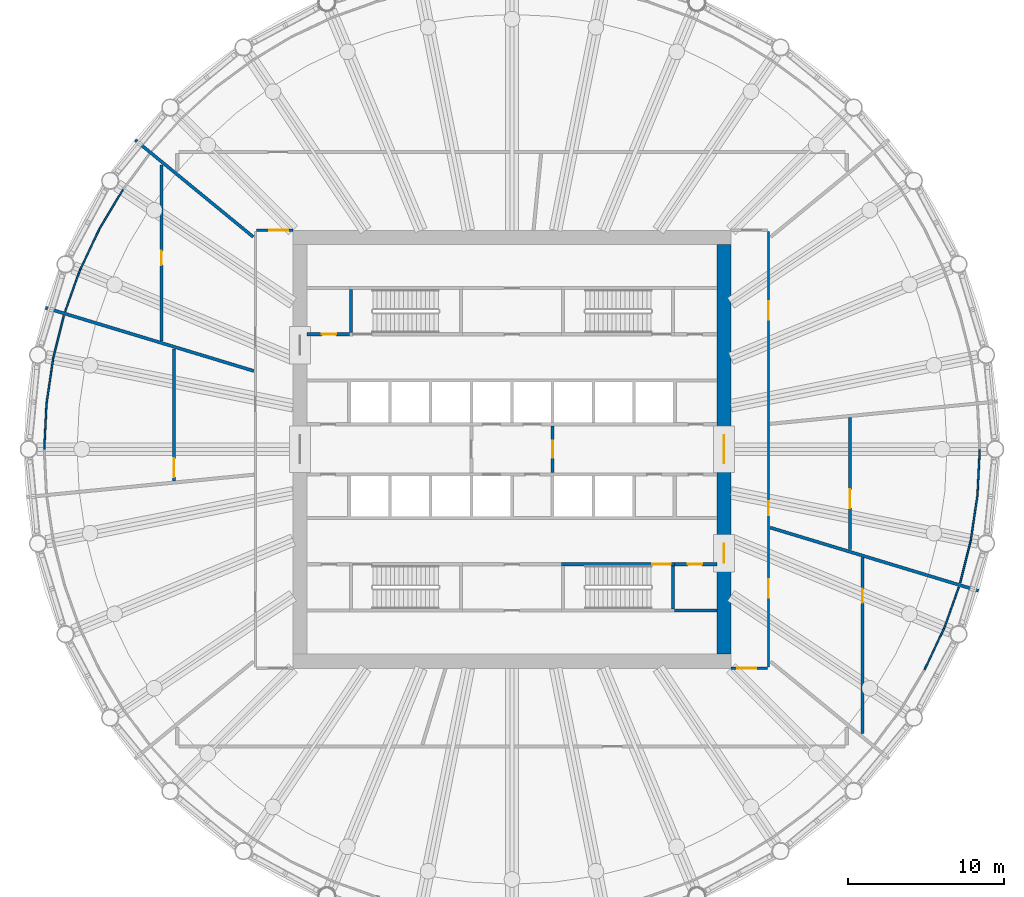
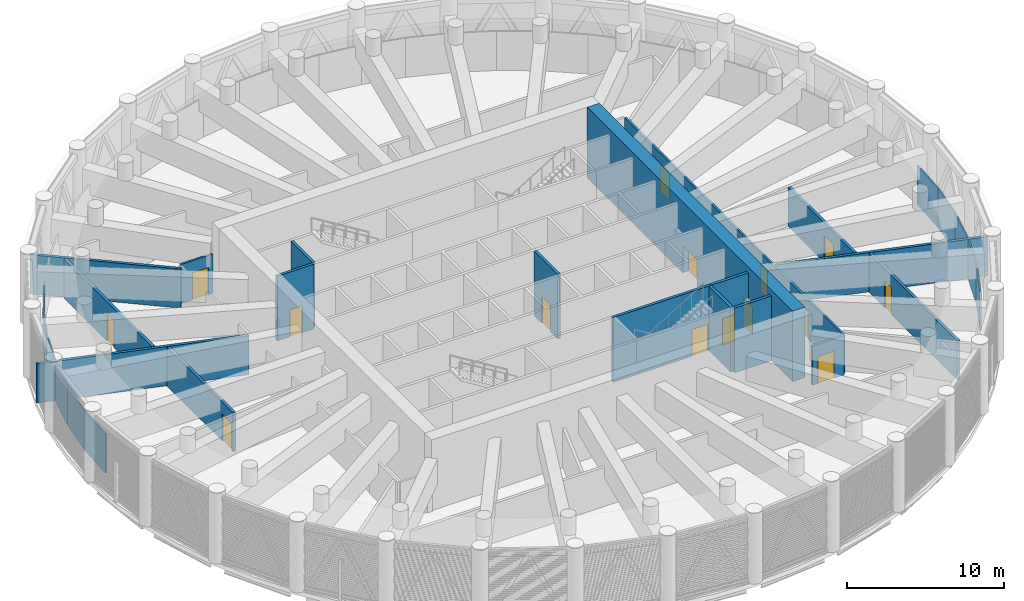
# One storey, part 9 of 23: 29 walls, 15 doors, 15 openings.
"""IFC4 building model written with IfcOpenShell, lengths in metres."""

from ifc_helpers import new_model, si_unit, direction, frame, frame_2d, origin, place, context, subcontext, project, spatial, polyline, rectangle, outline, extrude, material, layer, layer_set, type_object, element, fill, save


model = new_model("IFC4")

# Units and contexts
model_context = context("Model", 3, precision=1e-05, world=origin(), true_north=direction((0.0, 1.0)))
body_context = subcontext(model_context, "Body", "Model", "MODEL_VIEW")
ifc_project = project(units=[si_unit("LENGTHUNIT", "METRE"), si_unit("AREAUNIT", "SQUARE_METRE"), si_unit("VOLUMEUNIT", "CUBIC_METRE"), si_unit("PLANEANGLEUNIT", "RADIAN"), si_unit("MASSUNIT", "GRAM", prefix="KILO")], contexts=[model_context])

# Site, building, storey
site_placement = place(None, origin())
site = spatial("IfcSite", under=ifc_project, at=site_placement, CompositionType="ELEMENT")
building_placement = place(site_placement, origin())
building = spatial("IfcBuilding", under=site, at=building_placement, Name="Corvane Civic Tower", CompositionType="ELEMENT")
storey_placement = place(building_placement, frame((0.0, 0.0, 196.0)))
storey = spatial("IfcBuildingStorey", under=building, at=storey_placement, Name="L46", CompositionType="ELEMENT", Elevation=196.0)

# Wall, openings, doors
ifc_material_1 = material(Name="Concrete C60/75", Category="concrete")
ifc_layer_1 = layer(ifc_material_1, 0.89990234375)
ifc_layer_set_1 = layer_set([ifc_layer_1], Name="Concrete C60/75")
wall_type_1 = type_object("IfcWallType", Name="CORE WALL 900 C60/75", PredefinedType="SHEAR", material=ifc_layer_set_1)
wall_1_placement = place(storey_placement, frame((13.550048828125, -13.10009765625, 0.0), z_axis=(0.0, 0.0, 1.0), x_axis=(0.0, 1.0, 0.0)))
wall_1 = element("IfcWall", 1, at=wall_1_placement, inside=storey, type_object=wall_type_1, Name="W-L46-core-E", PredefinedType="SHEAR", context=body_context, shape_type="SweptSolid", body=[
    extrude(rectangle(XDim=26.2001953125, YDim=0.89990234375, at=frame_2d((13.10009765625, 0.0))), origin(), (0.0, 0.0, 1.0), 5.5),
])
opening_1_placement = place(wall_1_placement, frame((12.199951171875, 0.0, 0.0)))
opening_1 = element("IfcOpeningElement", 2, at=opening_1_placement, cuts=wall_1, Name="Opening L46.C22", PredefinedType="OPENING", context=body_context, shape_type="SweptSolid", body=[
    extrude(rectangle(XDim=1.800048828125, YDim=2.10009765625, at=frame_2d((0.89990234375, 1.050048828125))), frame((0.0, 0.4599609375, 0.0), z_axis=(0.0, -1.0, 0.0), x_axis=(1.0, 0.0, 0.0)), (0.0, 0.0, 1.0), 0.919921875),
])
opening_2_placement = place(wall_1_placement, frame((5.85009765625, 0.0, 0.0)))
opening_2 = element("IfcOpeningElement", 3, at=opening_2_placement, cuts=wall_1, Name="Opening L46.C24", PredefinedType="OPENING", context=body_context, shape_type="SweptSolid", body=[
    extrude(rectangle(XDim=1.199951171875, YDim=2.10009765625, at=frame_2d((0.60009765625, 1.050048828125))), frame((0.0, 0.4599609375, 0.0), z_axis=(0.0, -1.0, 0.0), x_axis=(1.0, 0.0, 0.0)), (0.0, 0.0, 1.0), 0.919921875),
])
ifc_material_2 = material(Name="Steel fire door leaf", Category="steel")
door_type_1 = type_object("IfcDoorType", Name="CR-DOOR-CORE-1800", OperationType="DOUBLE_DOOR_SINGLE_SWING", PredefinedType="DOOR", material=ifc_material_2)
door_1_placement = place(opening_1_placement, origin())
door_1 = element("IfcDoor", 4, at=door_1_placement, inside=storey, type_object=door_type_1, Name="L46 door", OperationType="DOUBLE_DOOR_SINGLE_SWING", OverallHeight=2.10009765625, OverallWidth=1.800048828125, PredefinedType="DOOR", context=body_context, shape_type="SweptSolid", body=[
    extrude(rectangle(XDim=1.800048828125, YDim=2.10009765625, at=frame_2d((0.89990234375, 1.050048828125))), frame((0.0, 0.02490234375, 0.0), z_axis=(0.0, -1.0, 0.0), x_axis=(1.0, 0.0, 0.0)), (0.0, 0.0, 1.0), 0.050048828125),
])
fill(opening_1, door_1)
door_2_placement = place(opening_2_placement, origin())
door_2 = element("IfcDoor", 5, at=door_2_placement, inside=storey, type_object=door_type_1, Name="L46 door", OperationType="DOUBLE_DOOR_SINGLE_SWING", OverallHeight=2.10009765625, OverallWidth=1.199951171875, PredefinedType="DOOR", context=body_context, shape_type="SweptSolid", body=[
    extrude(rectangle(XDim=1.199951171875, YDim=2.10009765625, at=frame_2d((0.60009765625, 1.050048828125))), frame((0.0, 0.02490234375, 0.0), z_axis=(0.0, -1.0, 0.0), x_axis=(1.0, 0.0, 0.0)), (0.0, 0.0, 1.0), 0.050048828125),
])
fill(opening_2, door_2)

# Wall, opening, door
ifc_material_3 = material(Name="Concrete C30/37", Category="concrete")
ifc_layer_2 = layer(ifc_material_3, 0.199951171875)
ifc_layer_set_2 = layer_set([ifc_layer_2], Name="Concrete C30/37")
wall_type_2 = type_object("IfcWallType", Name="CR-WALL-200", PredefinedType="PARTITIONING", material=ifc_layer_set_2)
wall_2_placement = place(storey_placement, frame((10.39990234375, -7.35009765625, 0.0), z_axis=(0.0, 0.0, 1.0), x_axis=(1.0, 0.0, 0.0)))
wall_2 = element("IfcWall", 6, at=wall_2_placement, inside=storey, type_object=wall_type_2, Name="L46 core partition wall", PredefinedType="PARTITIONING", context=body_context, shape_type="SweptSolid", body=[
    extrude(rectangle(XDim=2.7001953125, YDim=0.199951171875, at=frame_2d((1.35009765625, 0.0))), origin(), (0.0, 0.0, 1.0), 5.050048828125),
])
opening_3_placement = place(wall_2_placement, frame((0.85009765625, 0.0, 0.0)))
opening_3 = element("IfcOpeningElement", 7, at=opening_3_placement, cuts=wall_2, Name="Opening L46.C14", PredefinedType="OPENING", context=body_context, shape_type="SweptSolid", body=[
    extrude(rectangle(XDim=0.89990234375, YDim=2.10009765625, at=frame_2d((0.449951171875, 1.050048828125))), frame((0.0, 0.10986328125, 0.0), z_axis=(0.0, -1.0, 0.0), x_axis=(1.0, 0.0, 0.0)), (0.0, 0.0, 1.0), 0.219970703125),
])
ifc_material_4 = material(Name="Steel fire door leaf", Category="steel")
door_type_2 = type_object("IfcDoorType", Name="CR-DOOR-900", OperationType="SINGLE_SWING_LEFT", PredefinedType="DOOR", material=ifc_material_4)
door_3_placement = place(opening_3_placement, origin())
door_3 = element("IfcDoor", 8, at=door_3_placement, inside=storey, type_object=door_type_2, Name="L46 door", OperationType="SINGLE_SWING_LEFT", OverallHeight=2.10009765625, OverallWidth=0.89990234375, PredefinedType="DOOR", context=body_context, shape_type="SweptSolid", body=[
    extrude(rectangle(XDim=0.89990234375, YDim=2.10009765625, at=frame_2d((0.449951171875, 1.050048828125))), frame((0.0, 0.02490234375, 0.0), z_axis=(0.0, -1.0, 0.0), x_axis=(1.0, 0.0, 0.0)), (0.0, 0.0, 1.0), 0.050048828125),
])
fill(opening_3, door_3)

wall_3_placement = place(storey_placement, frame((-13.10009765625, 7.35009765625, 0.0), z_axis=(0.0, 0.0, 1.0), x_axis=(1.0, 0.0, 0.0)))
wall_3 = element("IfcWall", 9, at=wall_3_placement, inside=storey, type_object=wall_type_2, Name="L46 core partition wall", PredefinedType="PARTITIONING", context=body_context, shape_type="SweptSolid", body=[
    extrude(rectangle(XDim=2.7001953125, YDim=0.199951171875, at=frame_2d((1.35009765625, 0.0))), origin(), (0.0, 0.0, 1.0), 5.050048828125),
])
opening_4_placement = place(wall_3_placement, frame((0.949951171875, 0.0, 0.0)))
opening_4 = element("IfcOpeningElement", 10, at=opening_4_placement, cuts=wall_3, Name="Opening L46.C11", PredefinedType="OPENING", context=body_context, shape_type="SweptSolid", body=[
    extrude(rectangle(XDim=0.89990234375, YDim=2.10009765625, at=frame_2d((0.449951171875, 1.050048828125))), frame((0.0, 0.10986328125, 0.0), z_axis=(0.0, -1.0, 0.0), x_axis=(1.0, 0.0, 0.0)), (0.0, 0.0, 1.0), 0.219970703125),
])
door_4_placement = place(opening_4_placement, origin())
door_4 = element("IfcDoor", 11, at=door_4_placement, inside=storey, type_object=door_type_2, Name="L46 door", OperationType="SINGLE_SWING_LEFT", OverallHeight=2.10009765625, OverallWidth=0.89990234375, PredefinedType="DOOR", context=body_context, shape_type="SweptSolid", body=[
    extrude(rectangle(XDim=0.89990234375, YDim=2.10009765625, at=frame_2d((0.449951171875, 1.050048828125))), frame((0.0, 0.02490234375, 0.0), z_axis=(0.0, -1.0, 0.0), x_axis=(1.0, 0.0, 0.0)), (0.0, 0.0, 1.0), 0.050048828125),
])
fill(opening_4, door_4)

wall_4_placement = place(storey_placement, frame((2.60009765625, -1.5, 0.0), z_axis=(0.0, 0.0, 1.0), x_axis=(0.0, 1.0, 0.0)))
wall_4 = element("IfcWall", 12, at=wall_4_placement, inside=storey, type_object=wall_type_2, Name="L46 firefighting lobby wall", PredefinedType="PARTITIONING", context=body_context, shape_type="SweptSolid", body=[
    extrude(rectangle(XDim=3.0, YDim=0.199951171875, at=frame_2d((1.5, 0.0))), origin(), (0.0, 0.0, 1.0), 5.050048828125),
])
opening_5_placement = place(wall_4_placement, frame((0.949951171875, 0.0, 0.0)))
opening_5 = element("IfcOpeningElement", 13, at=opening_5_placement, cuts=wall_4, Name="Opening L46.C20", PredefinedType="OPENING", context=body_context, shape_type="SweptSolid", body=[
    extrude(rectangle(XDim=1.10009765625, YDim=2.10009765625, at=frame_2d((0.550048828125, 1.050048828125))), frame((0.0, 0.10986328125, 0.0), z_axis=(0.0, -1.0, 0.0), x_axis=(1.0, 0.0, 0.0)), (0.0, 0.0, 1.0), 0.219970703125),
])
ifc_material_5 = material(Name="Steel fire door leaf", Category="steel")
door_type_3 = type_object("IfcDoorType", Name="CR-DOOR-FFL-1100", OperationType="SINGLE_SWING_LEFT", PredefinedType="DOOR", material=ifc_material_5)
door_5_placement = place(opening_5_placement, origin())
door_5 = element("IfcDoor", 14, at=door_5_placement, inside=storey, type_object=door_type_3, Name="L46 lobby door", OperationType="SINGLE_SWING_LEFT", OverallHeight=2.10009765625, OverallWidth=1.10009765625, PredefinedType="DOOR", context=body_context, shape_type="SweptSolid", body=[
    extrude(rectangle(XDim=1.10009765625, YDim=2.10009765625, at=frame_2d((0.550048828125, 1.050048828125))), frame((0.0, 0.02490234375, 0.0), z_axis=(0.0, -1.0, 0.0), x_axis=(1.0, 0.0, 0.0)), (0.0, 0.0, 1.0), 0.050048828125),
])
fill(opening_5, door_5)

# Walls
wall_5_placement = place(storey_placement, origin())
element("IfcWall", 15, at=wall_5_placement, inside=storey, type_object=wall_type_2, Name="L46 core partition wall", PredefinedType="PARTITIONING", context=body_context, shape_type="SweptSolid", body=[
    extrude(outline(polyline([(13.10009765625, -10.39990234375), (10.39990234375, -10.39990234375), (10.39990234375, -10.199951171875), (13.10009765625, -10.199951171875), (13.10009765625, -10.39990234375)])), origin(), (0.0, 0.0, 1.0), 5.050048828125),
])
ifc_material_6 = material(Name="Plasterboard")
ifc_layer_3 = layer(ifc_material_6, 0.10009765625)
ifc_layer_set_3 = layer_set([ifc_layer_3], Name="Plasterboard")
wall_type_3 = type_object("IfcWallType", Name="Partition 100 plasterboard on studs", PredefinedType="PARTITIONING", material=ifc_layer_set_3)
wall_6_placement = place(storey_placement, frame((-26.368408203125, 14.09423828125, 0.0), z_axis=(0.0, 0.0, 1.0), x_axis=(0.514140854676, 0.857705766305, 0.0)))
element("IfcWall", 16, at=wall_6_placement, inside=storey, type_object=wall_type_3, Name="Partition L46.080", PredefinedType="PARTITIONING", context=body_context, shape_type="SweptSolid", body=[
    extrude(rectangle(XDim=2.93408203125, YDim=0.10009765625, at=frame_2d((1.467041015625, 0.0))), origin(), (0.0, 0.0, 1.0), 3.050048828125),
])
for number, where, z_axis, x_axis, name in (
    (17, (26.368408203125, -14.09423828125, 0.0), (0.0, 0.0, 1.0), (0.42750326142, 0.90401380602, 0.0), "Partition L46.081"),
    (18, (-27.622802734375, 11.441650390625, 0.0), (0.0, 0.0, 1.0), (0.42750326142, 0.90401380602, 0.0), "Partition L46.082"),
):
    element("IfcWall", number, at=place(storey_placement, frame(where, z_axis=z_axis, x_axis=x_axis)), inside=storey, type_object=wall_type_3, Name=name, PredefinedType="PARTITIONING", context=body_context, shape_type="SweptSolid", body=[
        extrude(rectangle(XDim=2.934326171875, YDim=0.10009765625, at=frame_2d((1.46728515625, 0.0))), origin(), (0.0, 0.0, 1.0), 3.050048828125),
    ])
for number, where, z_axis, x_axis, name in (
    (19, (27.622802734375, -11.441650390625, 0.0), (0.0, 0.0, 1.0), (0.336862225339, 0.941553950201, 0.0), "Partition L46.083"),
    (20, (-28.56396484375, 8.81103515625, 0.0), (0.0, 0.0, 1.0), (0.336862225339, 0.941553950201, 0.0), "Partition L46.084"),
    (21, (28.645263671875, -8.543212890625, 0.0), (0.0, 0.0, 1.0), (0.24300848538, 0.970024162603, 0.0), "Partition L46.085"),
    (22, (-29.32421875, 5.8330078125, 0.0), (0.0, 0.0, 1.0), (0.24300848538, 0.970024162603, 0.0), "Partition L46.086"),
):
    element("IfcWall", number, at=place(storey_placement, frame(where, z_axis=z_axis, x_axis=x_axis)), inside=storey, type_object=wall_type_3, Name=name, PredefinedType="PARTITIONING", context=body_context, shape_type="SweptSolid", body=[
        extrude(rectangle(XDim=2.7939453125, YDim=0.10009765625, at=frame_2d((1.39697265625, 0.0))), origin(), (0.0, 0.0, 1.0), 3.050048828125),
    ])
for number, where, z_axis, x_axis, name in (
    (23, (29.32421875, -5.8330078125, 0.0), (0.0, 0.0, 1.0), (0.146777840471, 0.989169482721, 0.0), "Partition L46.087"),
    (24, (-29.7548828125, 2.9306640625, 0.0), (0.0, 0.0, 1.0), (0.146777840471, 0.989169482721, 0.0), "Partition L46.088"),
    (25, (29.7548828125, -2.9306640625, 0.0), (0.0, 0.0, 1.0), (0.049008018065, 0.998798385144, 0.0), "Partition L46.089"),
    (26, (-29.898681640625, 0.0, 0.0), (0.0, 0.0, 1.0), (0.049008018065, 0.998798385144, 0.0), "Partition L46.090"),
):
    element("IfcWall", number, at=place(storey_placement, frame(where, z_axis=z_axis, x_axis=x_axis)), inside=storey, type_object=wall_type_3, Name=name, PredefinedType="PARTITIONING", context=body_context, shape_type="SweptSolid", body=[
        extrude(rectangle(XDim=2.93408203125, YDim=0.10009765625, at=frame_2d((1.467041015625, 0.0))), origin(), (0.0, 0.0, 1.0), 3.050048828125),
    ])

# Wall, opening, door
ifc_material_7 = material(Name="Gypsum fibreboard")
ifc_layer_4 = layer(ifc_material_7, 0.199951171875)
ifc_layer_set_4 = layer_set([ifc_layer_4], Name="Gypsum fibreboard")
wall_type_4 = type_object("IfcWallType", Name="Plant and refuge wall 200 EI 120", PredefinedType="PARTITIONING", material=ifc_layer_set_4)
wall_7_placement = place(storey_placement, frame((22.39990234375, -18.171875, 0.0), z_axis=(0.0, 0.0, 1.0), x_axis=(0.0, 1.0, 0.0)))
wall_7 = element("IfcWall", 27, at=wall_7_placement, inside=storey, type_object=wall_type_4, Name="Partition L46.007", PredefinedType="PARTITIONING", context=body_context, shape_type="SweptSolid", body=[
    extrude(rectangle(XDim=11.2421875, YDim=0.199951171875, at=frame_2d((5.62109375, 0.0))), origin(), (0.0, 0.0, 1.0), 3.050048828125),
])
opening_6_placement = place(wall_7_placement, frame((8.350830078125, 0.0, 0.0)))
opening_6 = element("IfcOpeningElement", 28, at=opening_6_placement, cuts=wall_7, Name="Opening L46.010", PredefinedType="OPENING", context=body_context, shape_type="SweptSolid", body=[
    extrude(rectangle(XDim=0.89990234375, YDim=2.10009765625, at=frame_2d((0.449951171875, 1.050048828125))), frame((0.0, 0.10986328125, 0.0), z_axis=(0.0, -1.0, 0.0), x_axis=(1.0, 0.0, 0.0)), (0.0, 0.0, 1.0), 0.219970703125),
])
ifc_material_8 = material(Name="Steel and timber", Category="steel")
door_type_4 = type_object("IfcDoorType", Name="Fire door FD30S 900", OperationType="NOTDEFINED", PredefinedType="DOOR", material=ifc_material_8)
door_6_placement = place(opening_6_placement, frame((0.89990234375, 0.0, 0.0), z_axis=(0.0, 0.0, 1.0), x_axis=(-1.0, 0.0, 0.0)))
door_6 = element("IfcDoor", 29, at=door_6_placement, inside=storey, type_object=door_type_4, Name="Door L46.010", OperationType="SINGLE_SWING_LEFT", OverallHeight=2.10009765625, OverallWidth=0.89990234375, PredefinedType="DOOR", context=body_context, shape_type="SweptSolid", body=[
    extrude(rectangle(XDim=0.89990234375, YDim=2.10009765625, at=frame_2d((0.449951171875, 1.050048828125))), frame((0.0, 0.02490234375, 0.0), z_axis=(0.0, -1.0, 0.0), x_axis=(1.0, 0.0, 0.0)), (0.0, 0.0, 1.0), 0.050048828125),
])
fill(opening_6, door_6)

# Wall
wall_8_placement = place(storey_placement, frame((16.50390625, -5.00634765625, 0.0), z_axis=(0.0, 0.0, 1.0), x_axis=(0.95693781983, -0.290292970942, 0.0)))
element("IfcWall", 30, at=wall_8_placement, inside=storey, type_object=wall_type_4, Name="Partition L46.012", PredefinedType="PARTITIONING", context=body_context, shape_type="SweptSolid", body=[
    extrude(rectangle(XDim=13.903564453125, YDim=0.199951171875, at=frame_2d((6.95166015625, 0.0))), origin(), (0.0, 0.0, 1.0), 3.050048828125),
])

# Wall, opening, door
wall_9_placement = place(storey_placement, frame((21.60009765625, -6.41748046875, 0.0), z_axis=(0.0, 0.0, 1.0), x_axis=(0.0, 1.0, 0.0)))
wall_9 = element("IfcWall", 31, at=wall_9_placement, inside=storey, type_object=wall_type_4, Name="Partition L46.013", PredefinedType="PARTITIONING", context=body_context, shape_type="SweptSolid", body=[
    extrude(rectangle(XDim=8.4345703125, YDim=0.199951171875, at=frame_2d((4.21728515625, 0.0))), origin(), (0.0, 0.0, 1.0), 3.050048828125),
])
opening_7_placement = place(wall_9_placement, frame((2.648681640625, 0.0, 0.0)))
opening_7 = element("IfcOpeningElement", 32, at=opening_7_placement, cuts=wall_9, Name="Opening L46.008", PredefinedType="OPENING", context=body_context, shape_type="SweptSolid", body=[
    extrude(rectangle(XDim=1.199951171875, YDim=2.10009765625, at=frame_2d((0.60009765625, 1.050048828125))), frame((0.0, 0.10986328125, 0.0), z_axis=(0.0, -1.0, 0.0), x_axis=(1.0, 0.0, 0.0)), (0.0, 0.0, 1.0), 0.219970703125),
])
ifc_material_9 = material(Name="Steel and timber", Category="steel")
door_type_5 = type_object("IfcDoorType", Name="Fire door FD60 1200", OperationType="NOTDEFINED", PredefinedType="DOOR", material=ifc_material_9)
door_7_placement = place(opening_7_placement, frame((1.199951171875, 0.0, 0.0), z_axis=(0.0, 0.0, 1.0), x_axis=(-1.0, 0.0, 0.0)))
door_7 = element("IfcDoor", 33, at=door_7_placement, inside=storey, type_object=door_type_5, Name="Door L46.008", OperationType="SINGLE_SWING_RIGHT", OverallHeight=2.10009765625, OverallWidth=1.199951171875, PredefinedType="DOOR", context=body_context, shape_type="SweptSolid", body=[
    extrude(rectangle(XDim=1.199951171875, YDim=2.10009765625, at=frame_2d((0.60009765625, 1.050048828125))), frame((0.0, 0.02490234375, 0.0), z_axis=(0.0, -1.0, 0.0), x_axis=(1.0, 0.0, 0.0)), (0.0, 0.0, 1.0), 0.050048828125),
])
fill(opening_7, door_7)

wall_10_placement = place(storey_placement, frame((-21.60009765625, -2.01708984375, 0.0), z_axis=(0.0, 0.0, 1.0), x_axis=(0.0, 1.0, 0.0)))
wall_10 = element("IfcWall", 34, at=wall_10_placement, inside=storey, type_object=wall_type_4, Name="Partition L46.015", PredefinedType="PARTITIONING", context=body_context, shape_type="SweptSolid", body=[
    extrude(rectangle(XDim=8.4345703125, YDim=0.199951171875, at=frame_2d((4.21728515625, 0.0))), origin(), (0.0, 0.0, 1.0), 3.050048828125),
])
opening_8_placement = place(wall_10_placement, frame((0.23095703125, 0.0, 0.0)))
opening_8 = element("IfcOpeningElement", 35, at=opening_8_placement, cuts=wall_10, Name="Opening L46.013", PredefinedType="OPENING", context=body_context, shape_type="SweptSolid", body=[
    extrude(rectangle(XDim=1.199951171875, YDim=2.10009765625, at=frame_2d((0.60009765625, 1.050048828125))), frame((0.0, 0.10986328125, 0.0), z_axis=(0.0, -1.0, 0.0), x_axis=(1.0, 0.0, 0.0)), (0.0, 0.0, 1.0), 0.219970703125),
])
door_8_placement = place(opening_8_placement, origin())
door_8 = element("IfcDoor", 36, at=door_8_placement, inside=storey, type_object=door_type_5, Name="Door L46.013", OperationType="SINGLE_SWING_LEFT", OverallHeight=2.10009765625, OverallWidth=1.199951171875, PredefinedType="DOOR", context=body_context, shape_type="SweptSolid", body=[
    extrude(rectangle(XDim=1.199951171875, YDim=2.10009765625, at=frame_2d((0.60009765625, 1.050048828125))), frame((0.0, 0.02490234375, 0.0), z_axis=(0.0, -1.0, 0.0), x_axis=(1.0, 0.0, 0.0)), (0.0, 0.0, 1.0), 0.050048828125),
])
fill(opening_8, door_8)

# Wall
wall_11_placement = place(storey_placement, frame((-29.808837890625, 9.04248046875, 0.0), z_axis=(0.0, 0.0, 1.0), x_axis=(0.95693781983, -0.290292970942, 0.0)))
element("IfcWall", 37, at=wall_11_placement, inside=storey, type_object=wall_type_4, Name="Partition L46.017", PredefinedType="PARTITIONING", context=body_context, shape_type="SweptSolid", body=[
    extrude(rectangle(XDim=13.903564453125, YDim=0.199951171875, at=frame_2d((6.95166015625, 0.0))), origin(), (0.0, 0.0, 1.0), 3.050048828125),
])

# Wall, opening, door
wall_12_placement = place(storey_placement, frame((-22.39990234375, 6.9296875, 0.0), z_axis=(0.0, 0.0, 1.0), x_axis=(0.0, 1.0, 0.0)))
wall_12 = element("IfcWall", 38, at=wall_12_placement, inside=storey, type_object=wall_type_4, Name="Partition L46.018", PredefinedType="PARTITIONING", context=body_context, shape_type="SweptSolid", body=[
    extrude(rectangle(XDim=11.2421875, YDim=0.199951171875, at=frame_2d((5.62109375, 0.0))), origin(), (0.0, 0.0, 1.0), 3.050048828125),
])
opening_9_placement = place(wall_12_placement, frame((4.84619140625, 0.0, 0.0)))
opening_9 = element("IfcOpeningElement", 39, at=opening_9_placement, cuts=wall_12, Name="Opening L46.015", PredefinedType="OPENING", context=body_context, shape_type="SweptSolid", body=[
    extrude(rectangle(XDim=0.89990234375, YDim=2.10009765625, at=frame_2d((0.449951171875, 1.050048828125))), frame((0.0, 0.10986328125, 0.0), z_axis=(0.0, -1.0, 0.0), x_axis=(1.0, 0.0, 0.0)), (0.0, 0.0, 1.0), 0.219970703125),
])
door_9_placement = place(opening_9_placement, origin())
door_9 = element("IfcDoor", 40, at=door_9_placement, inside=storey, type_object=door_type_4, Name="Door L46.015", OperationType="SINGLE_SWING_LEFT", OverallHeight=2.10009765625, OverallWidth=0.89990234375, PredefinedType="DOOR", context=body_context, shape_type="SweptSolid", body=[
    extrude(rectangle(XDim=0.89990234375, YDim=2.10009765625, at=frame_2d((0.449951171875, 1.050048828125))), frame((0.0, 0.02490234375, 0.0), z_axis=(0.0, -1.0, 0.0), x_axis=(1.0, 0.0, 0.0)), (0.0, 0.0, 1.0), 0.050048828125),
])
fill(opening_9, door_9)

# Wall
wall_13_placement = place(storey_placement, frame((-24.079345703125, 19.761474609375, 0.0), z_axis=(0.0, 0.0, 1.0), x_axis=(0.773012005749, -0.634391392571, 0.0)))
element("IfcWall", 41, at=wall_13_placement, inside=storey, type_object=wall_type_4, Name="Partition L46.019", PredefinedType="PARTITIONING", context=body_context, shape_type="SweptSolid", body=[
    extrude(rectangle(XDim=9.75537109375, YDim=0.199951171875, at=frame_2d((4.877685546875, 0.0))), origin(), (0.0, 0.0, 1.0), 3.050048828125),
])

# Wall, opening, door
ifc_material_10 = material(Name="Concrete C50/60", Category="concrete")
ifc_layer_5 = layer(ifc_material_10, 0.199951171875)
ifc_layer_set_5 = layer_set([ifc_layer_5], Name="Concrete C50/60")
wall_type_5 = type_object("IfcWallType", Name="ST-WALL-200", PredefinedType="SHEAR", material=ifc_layer_set_5)
wall_14_placement = place(storey_placement, frame((3.14990234375, -7.35009765625, 0.0), z_axis=(0.0, 0.0, 1.0), x_axis=(1.0, 0.0, 0.0)))
wall_14 = element("IfcWall", 42, at=wall_14_placement, inside=storey, type_object=wall_type_5, Name="L46 stair enclosure wall", PredefinedType="SHEAR", context=body_context, shape_type="SweptSolid", body=[
    extrude(rectangle(XDim=7.25, YDim=0.199951171875, at=frame_2d((3.625, 0.0))), origin(), (0.0, 0.0, 1.0), 5.050048828125),
])
opening_10_placement = place(wall_14_placement, frame((5.800048828125, 0.0, 0.0)))
opening_10 = element("IfcOpeningElement", 43, at=opening_10_placement, cuts=wall_14, Name="Opening L46.C17", PredefinedType="OPENING", context=body_context, shape_type="SweptSolid", body=[
    extrude(rectangle(XDim=1.199951171875, YDim=2.10009765625, at=frame_2d((0.60009765625, 1.050048828125))), frame((0.0, 0.10986328125, 0.0), z_axis=(0.0, -1.0, 0.0), x_axis=(1.0, 0.0, 0.0)), (0.0, 0.0, 1.0), 0.219970703125),
])
ifc_material_11 = material(Name="Steel fire door leaf", Category="steel")
door_type_6 = type_object("IfcDoorType", Name="ST-DOOR-1200", OperationType="SINGLE_SWING_RIGHT", PredefinedType="DOOR", material=ifc_material_11)
door_10_placement = place(opening_10_placement, origin())
door_10 = element("IfcDoor", 44, at=door_10_placement, inside=storey, type_object=door_type_6, Name="L46 stair door", OperationType="SINGLE_SWING_RIGHT", OverallHeight=2.10009765625, OverallWidth=1.199951171875, PredefinedType="DOOR", context=body_context, shape_type="SweptSolid", body=[
    extrude(rectangle(XDim=1.199951171875, YDim=2.10009765625, at=frame_2d((0.60009765625, 1.050048828125))), frame((0.0, 0.02490234375, 0.0), z_axis=(0.0, -1.0, 0.0), x_axis=(1.0, 0.0, 0.0)), (0.0, 0.0, 1.0), 0.050048828125),
])
fill(opening_10, door_10)

# Walls
wall_15_placement = place(storey_placement, origin())
element("IfcWall", 45, at=wall_15_placement, inside=storey, type_object=wall_type_5, Name="L46 stair enclosure wall", PredefinedType="SHEAR", context=body_context, shape_type="SweptSolid", body=[
    extrude(outline(polyline([(-10.199951171875, 7.449951171875), (-10.39990234375, 7.449951171875), (-10.39990234375, 10.199951171875), (-10.199951171875, 10.199951171875), (-10.199951171875, 7.449951171875)])), origin(), (0.0, 0.0, 1.0), 5.050048828125),
])
wall_16_placement = place(storey_placement, origin())
element("IfcWall", 46, at=wall_16_placement, inside=storey, type_object=wall_type_5, Name="L46 stair enclosure wall", PredefinedType="SHEAR", context=body_context, shape_type="SweptSolid", body=[
    extrude(outline(polyline([(10.39990234375, -7.449951171875), (10.39990234375, -10.199951171875), (10.199951171875, -10.199951171875), (10.199951171875, -7.449951171875), (10.39990234375, -7.449951171875)])), origin(), (0.0, 0.0, 1.0), 5.050048828125),
])

# Wall, opening, door
ifc_material_12 = material(Name="Plasterboard")
ifc_layer_6 = layer(ifc_material_12, 0.14990234375)
ifc_layer_set_6 = layer_set([ifc_layer_6], Name="Plasterboard")
wall_type_6 = type_object("IfcWallType", Name="Tenancy wall 150 EI 60", PredefinedType="PARTITIONING", material=ifc_layer_set_6)
wall_17_placement = place(storey_placement, frame((13.989990234375, -14.0, 0.0), z_axis=(0.0, 0.0, 1.0), x_axis=(1.0, 0.0, 0.0)))
wall_17 = element("IfcWall", 47, at=wall_17_placement, inside=storey, type_object=wall_type_6, Name="Partition L46.009", PredefinedType="PARTITIONING", context=body_context, shape_type="SweptSolid", body=[
    extrude(rectangle(XDim=2.3349609375, YDim=0.14990234375, at=frame_2d((1.16748046875, 0.0))), origin(), (0.0, 0.0, 1.0), 3.050048828125),
])
opening_11_placement = place(wall_17_placement, frame((0.414306640625, 0.0, 0.0)))
opening_11 = element("IfcOpeningElement", 48, at=opening_11_placement, cuts=wall_17, Name="Opening L46.005", PredefinedType="OPENING", context=body_context, shape_type="SweptSolid", body=[
    extrude(rectangle(XDim=1.199951171875, YDim=2.10009765625, at=frame_2d((0.60009765625, 1.050048828125))), frame((0.0, 0.0849609375, 0.0), z_axis=(0.0, -1.0, 0.0), x_axis=(1.0, 0.0, 0.0)), (0.0, 0.0, 1.0), 0.169921875),
])
door_11_placement = place(opening_11_placement, frame((1.199951171875, 0.0, 0.0), z_axis=(0.0, 0.0, 1.0), x_axis=(-1.0, 0.0, 0.0)))
door_11 = element("IfcDoor", 49, at=door_11_placement, inside=storey, type_object=door_type_5, Name="Door L46.005", OperationType="SINGLE_SWING_RIGHT", OverallHeight=2.10009765625, OverallWidth=1.199951171875, PredefinedType="DOOR", context=body_context, shape_type="SweptSolid", body=[
    extrude(rectangle(XDim=1.199951171875, YDim=2.10009765625, at=frame_2d((0.60009765625, 1.050048828125))), frame((0.0, 0.02490234375, 0.0), z_axis=(0.0, -1.0, 0.0), x_axis=(1.0, 0.0, 0.0)), (0.0, 0.0, 1.0), 0.050048828125),
])
fill(opening_11, door_11)

# Wall, openings, doors
wall_18_placement = place(storey_placement, frame((16.39990234375, -13.925048828125, 0.0), z_axis=(0.0, 0.0, 1.0), x_axis=(0.0, 1.0, 0.0)))
wall_18 = element("IfcWall", 50, at=wall_18_placement, inside=storey, type_object=wall_type_6, Name="Partition L46.011", PredefinedType="PARTITIONING", context=body_context, shape_type="SweptSolid", body=[
    extrude(rectangle(XDim=27.85009765625, YDim=0.14990234375, at=frame_2d((13.925048828125, 0.0))), origin(), (0.0, 0.0, 1.0), 3.050048828125),
])
opening_12_placement = place(wall_18_placement, frame((22.1923828125, 0.0, 0.0)))
opening_12 = element("IfcOpeningElement", 51, at=opening_12_placement, cuts=wall_18, Name="Opening L46.007", PredefinedType="OPENING", context=body_context, shape_type="SweptSolid", body=[
    extrude(rectangle(XDim=1.199951171875, YDim=2.10009765625, at=frame_2d((0.60009765625, 1.050048828125))), frame((0.0, 0.0849609375, 0.0), z_axis=(0.0, -1.0, 0.0), x_axis=(1.0, 0.0, 0.0)), (0.0, 0.0, 1.0), 0.169921875),
])
opening_13_placement = place(wall_18_placement, frame((9.69970703125, 0.0, 0.0)))
opening_13 = element("IfcOpeningElement", 52, at=opening_13_placement, cuts=wall_18, Name="Opening L46.009", PredefinedType="OPENING", context=body_context, shape_type="SweptSolid", body=[
    extrude(rectangle(XDim=0.89990234375, YDim=2.10009765625, at=frame_2d((0.449951171875, 1.050048828125))), frame((0.0, 0.0849609375, 0.0), z_axis=(0.0, -1.0, 0.0), x_axis=(1.0, 0.0, 0.0)), (0.0, 0.0, 1.0), 0.169921875),
])
opening_14_placement = place(wall_18_placement, frame((4.428466796875, 0.0, 0.0)))
opening_14 = element("IfcOpeningElement", 53, at=opening_14_placement, cuts=wall_18, Name="Opening L46.011", PredefinedType="OPENING", context=body_context, shape_type="SweptSolid", body=[
    extrude(rectangle(XDim=1.199951171875, YDim=2.10009765625, at=frame_2d((0.60009765625, 1.050048828125))), frame((0.0, 0.0849609375, 0.0), z_axis=(0.0, -1.0, 0.0), x_axis=(1.0, 0.0, 0.0)), (0.0, 0.0, 1.0), 0.169921875),
])
door_12_placement = place(opening_13_placement, frame((0.89990234375, 0.0, 0.0), z_axis=(0.0, 0.0, 1.0), x_axis=(-1.0, 0.0, 0.0)))
door_12 = element("IfcDoor", 54, at=door_12_placement, inside=storey, type_object=door_type_4, Name="Door L46.009", OperationType="SINGLE_SWING_LEFT", OverallHeight=2.10009765625, OverallWidth=0.89990234375, PredefinedType="DOOR", context=body_context, shape_type="SweptSolid", body=[
    extrude(rectangle(XDim=0.89990234375, YDim=2.10009765625, at=frame_2d((0.449951171875, 1.050048828125))), frame((0.0, 0.02490234375, 0.0), z_axis=(0.0, -1.0, 0.0), x_axis=(1.0, 0.0, 0.0)), (0.0, 0.0, 1.0), 0.050048828125),
])
fill(opening_13, door_12)
door_13_placement = place(opening_12_placement, frame((1.199951171875, 0.0, 0.0), z_axis=(0.0, 0.0, 1.0), x_axis=(-1.0, 0.0, 0.0)))
door_13 = element("IfcDoor", 55, at=door_13_placement, inside=storey, type_object=door_type_5, Name="Door L46.007", OperationType="SINGLE_SWING_LEFT", OverallHeight=2.10009765625, OverallWidth=1.199951171875, PredefinedType="DOOR", context=body_context, shape_type="SweptSolid", body=[
    extrude(rectangle(XDim=1.199951171875, YDim=2.10009765625, at=frame_2d((0.60009765625, 1.050048828125))), frame((0.0, 0.02490234375, 0.0), z_axis=(0.0, -1.0, 0.0), x_axis=(1.0, 0.0, 0.0)), (0.0, 0.0, 1.0), 0.050048828125),
])
fill(opening_12, door_13)
door_14_placement = place(opening_14_placement, frame((1.199951171875, 0.0, 0.0), z_axis=(0.0, 0.0, 1.0), x_axis=(-1.0, 0.0, 0.0)))
door_14 = element("IfcDoor", 56, at=door_14_placement, inside=storey, type_object=door_type_5, Name="Door L46.011", OperationType="SINGLE_SWING_RIGHT", OverallHeight=2.10009765625, OverallWidth=1.199951171875, PredefinedType="DOOR", context=body_context, shape_type="SweptSolid", body=[
    extrude(rectangle(XDim=1.199951171875, YDim=2.10009765625, at=frame_2d((0.60009765625, 1.050048828125))), frame((0.0, 0.02490234375, 0.0), z_axis=(0.0, -1.0, 0.0), x_axis=(1.0, 0.0, 0.0)), (0.0, 0.0, 1.0), 0.050048828125),
])
fill(opening_14, door_14)

# Wall, opening, door
wall_19_placement = place(storey_placement, frame((-16.324951171875, 14.0, 0.0), z_axis=(0.0, 0.0, 1.0), x_axis=(1.0, 0.0, 0.0)))
wall_19 = element("IfcWall", 57, at=wall_19_placement, inside=storey, type_object=wall_type_6, Name="Partition L46.021", PredefinedType="PARTITIONING", context=body_context, shape_type="SweptSolid", body=[
    extrude(rectangle(XDim=2.3349609375, YDim=0.14990234375, at=frame_2d((1.16748046875, 0.0))), origin(), (0.0, 0.0, 1.0), 3.050048828125),
])
opening_15_placement = place(wall_19_placement, frame((0.817138671875, 0.0, 0.0)))
opening_15 = element("IfcOpeningElement", 58, at=opening_15_placement, cuts=wall_19, Name="Opening L46.002", PredefinedType="OPENING", context=body_context, shape_type="SweptSolid", body=[
    extrude(rectangle(XDim=1.199951171875, YDim=2.10009765625, at=frame_2d((0.60009765625, 1.050048828125))), frame((0.0, 0.0849609375, 0.0), z_axis=(0.0, -1.0, 0.0), x_axis=(1.0, 0.0, 0.0)), (0.0, 0.0, 1.0), 0.169921875),
])
door_15_placement = place(opening_15_placement, origin())
door_15 = element("IfcDoor", 59, at=door_15_placement, inside=storey, type_object=door_type_5, Name="Door L46.002", OperationType="SINGLE_SWING_RIGHT", OverallHeight=2.10009765625, OverallWidth=1.199951171875, PredefinedType="DOOR", context=body_context, shape_type="SweptSolid", body=[
    extrude(rectangle(XDim=1.199951171875, YDim=2.10009765625, at=frame_2d((0.60009765625, 1.050048828125))), frame((0.0, 0.02490234375, 0.0), z_axis=(0.0, -1.0, 0.0), x_axis=(1.0, 0.0, 0.0)), (0.0, 0.0, 1.0), 0.050048828125),
])
fill(opening_15, door_15)

save(model, "model.ifc")
